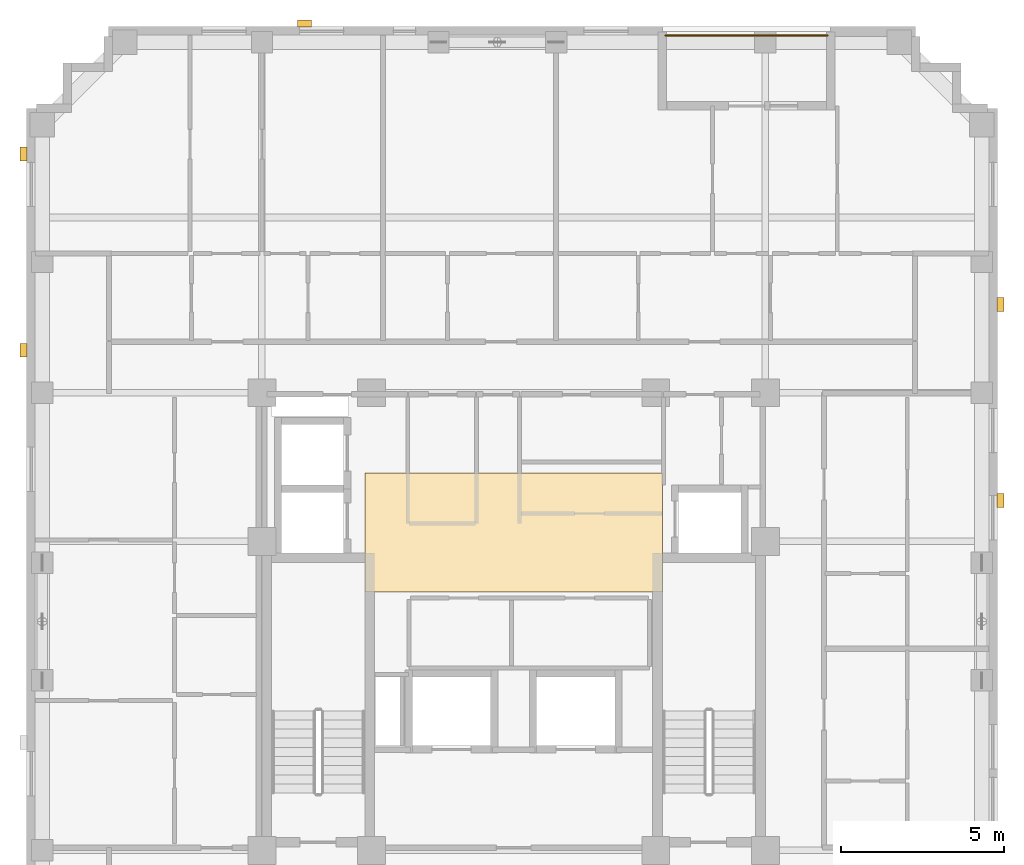
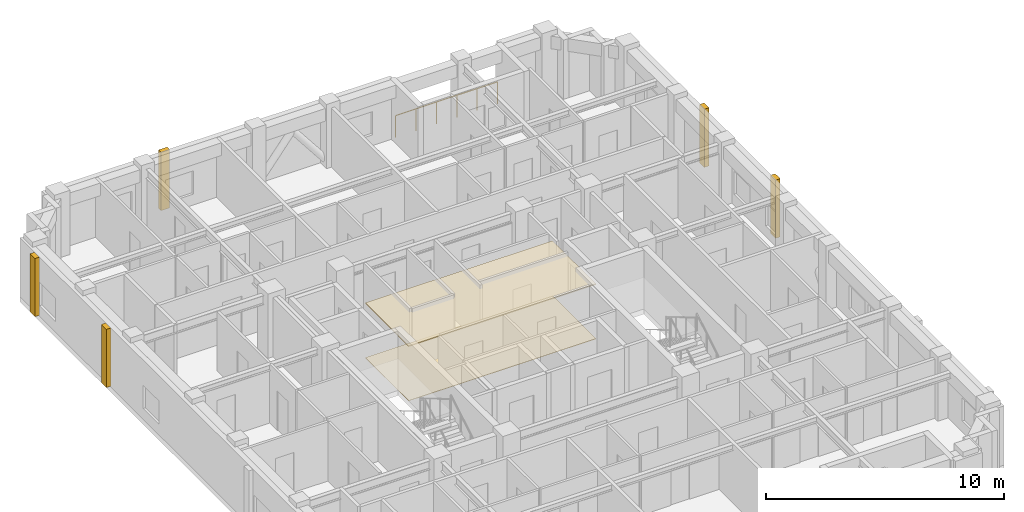
# One storey, part 11 of 11: 7 coverings, 1 railing.
"""IFC4 building model written with IfcOpenShell, lengths in metres."""

from ifc_helpers import new_model, si_unit, derived_unit, direction, frame, origin, origin_2d, place, context, subcontext, project, spatial, polyline, rectangle, circle, outline, extrude, material, layer, layer_set, type_object, element, save


model = new_model("IFC4")

# Units and contexts
model_context = context("Model", 3, precision=1e-05, world=origin(), true_north=direction((0.0, 1.0)))
body_context = subcontext(model_context, "Body", "Model", "MODEL_VIEW")
ifc_project = project(units=[si_unit("LENGTHUNIT", "METRE"), si_unit("AREAUNIT", "SQUARE_METRE"), si_unit("VOLUMEUNIT", "CUBIC_METRE"), si_unit("PLANEANGLEUNIT", "RADIAN"), si_unit("MASSUNIT", "GRAM", prefix="KILO"), derived_unit("THERMALTRANSMITTANCEUNIT", [(si_unit("MASSUNIT", "GRAM", prefix="KILO"), 1), (si_unit("TIMEUNIT", "SECOND"), -3), (si_unit("THERMODYNAMICTEMPERATUREUNIT", "KELVIN"), -1)])], contexts=[model_context])

# Site, building, storey
site_placement = place(None, origin())
site = spatial("IfcSite", under=ifc_project, at=site_placement, CompositionType="ELEMENT")
building_placement = place(site_placement, origin())
building = spatial("IfcBuilding", under=site, at=building_placement, Name="Korrvale Station Residences", CompositionType="ELEMENT")
storey_placement = place(building_placement, frame((0.0, 0.0, 214.0)))
storey = spatial("IfcBuildingStorey", under=building, at=storey_placement, Name="L62", CompositionType="ELEMENT", Elevation=214.0)

# Coverings
ifc_material_1 = material(Name="Perforated acoustic mineral-fibre suspended ceiling", Category="gypsum")
ifc_layer_1 = layer(ifc_material_1, 0.050048828125, Name="Perforated acoustic mineral-fibre suspended ceiling")
ifc_layer_set_1 = layer_set([ifc_layer_1], Name="Perforated acoustic mineral-fibre suspended ceiling")
covering_type_1 = type_object("IfcCoveringType", Name="COV-CLG-AC60", PredefinedType="CEILING", material=ifc_layer_set_1)
covering_1_placement = place(storey_placement, frame((0.0, 0.0, 2.7900390625)))
element("IfcCovering", 1, at=covering_1_placement, inside=storey, type_object=covering_type_1, Name="L62 Elevator Lobby Acoustic Ceiling", PredefinedType="CEILING", context=body_context, shape_type="SweptSolid", body=[
    extrude(outline(polyline([(20.949951171875, 22.89990234375), (30.050048828125, 22.89990234375), (30.050048828125, 26.550048828125), (20.949951171875, 26.550048828125), (20.949951171875, 22.89990234375)])), origin(), (0.0, 0.0, 1.0), 0.050048828125),
])
ifc_material_2 = material(Name="Polished quartz-terrazzo lobby flooring", Category="masonry")
ifc_layer_2 = layer(ifc_material_2, 0.02001953125, Name="Polished quartz-terrazzo lobby flooring")
ifc_layer_set_2 = layer_set([ifc_layer_2], Name="Polished quartz-terrazzo lobby flooring")
covering_type_2 = type_object("IfcCoveringType", Name="COV-FLR-TER20", PredefinedType="FLOORING", material=ifc_layer_set_2)
covering_2_placement = place(storey_placement, origin())
element("IfcCovering", 2, at=covering_2_placement, inside=storey, type_object=covering_type_2, Name="L62 Elevator Lobby Terrazzo Flooring", PredefinedType="FLOORING", context=body_context, shape_type="SweptSolid", body=[
    extrude(outline(polyline([(20.949951171875, 22.89990234375), (30.050048828125, 22.89990234375), (30.050048828125, 26.550048828125), (20.949951171875, 26.550048828125), (20.949951171875, 22.89990234375)])), origin(), (0.0, 0.0, 1.0), 0.02001953125),
])
ifc_material_3 = material(Name="Architectural precast concrete C45/55", Category="concrete")
ifc_layer_3 = layer(ifc_material_3, 0.219970703125, Name="Architectural precast concrete C45/55")
ifc_layer_set_3 = layer_set([ifc_layer_3], Name="Architectural precast concrete C45/55")
covering_type_3 = type_object("IfcCoveringType", Name="COV-PIER-400", PredefinedType="CLADDING", material=ifc_layer_set_3)
for number, where, z_axis, x_axis, name in (
    (3, (19.10009765625, 40.2900390625, 0.02490234375), (0.0, 0.0, 1.0), (1.0, 0.0, 0.0), "L62 Architectural Precast Facade Pier 01"),
    (4, (10.510009765625, 30.300048828125, 0.02490234375), (0.0, 0.0, 1.0), (0.0, 1.0, 0.0), "L62 Architectural Precast Facade Pier 04"),
    (5, (10.510009765625, 36.300048828125, 0.02490234375), (0.0, 0.0, 1.0), (0.0, 1.0, 0.0), "L62 Architectural Precast Facade Pier 05"),
    (6, (40.389892578125, 31.699951171875, 0.02490234375), (0.0, 0.0, 1.0), (0.0, 1.0, 0.0), "L62 Architectural Precast Facade Pier 06"),
    (7, (40.389892578125, 25.699951171875, 0.02490234375), (0.0, 0.0, 1.0), (0.0, 1.0, 0.0), "L62 Architectural Precast Facade Pier 07"),
):
    element("IfcCovering", number, at=place(storey_placement, frame(where, z_axis=z_axis, x_axis=x_axis)), inside=storey, type_object=covering_type_3, Name=name, PredefinedType="CLADDING", context=body_context, shape_type="SweptSolid", body=[
        extrude(rectangle(XDim=0.419921875, YDim=0.219970703125, at=origin_2d()), origin(), (0.0, 0.0, 1.0), 2.989990234375),
    ])

# Railing
ifc_material_4 = material(Name="Powder-coated aluminium picket loggia guard", Category="aluminium")
railing_type = type_object("IfcRailingType", Name="RLG-BAL-1150", PredefinedType="GUARDRAIL", material=ifc_material_4)
railing_placement = place(storey_placement, frame((30.14990234375, 39.929931640625, 0.0)))
element("IfcRailing", 8, at=railing_placement, inside=storey, type_object=railing_type, Name="L62 Recessed Loggia Guardrail BAL-L62-N1", PredefinedType="GUARDRAIL", context=body_context, shape_type="SweptSolid", body=[
    extrude(circle(Radius=0.02392578125, at=origin_2d()), frame((0.0, 0.0, 1.1259765625), z_axis=(1.0, 0.0, 0.0), x_axis=(0.0, 1.0, 0.0)), (0.0, 0.0, 1.0), 4.9501953125),
    extrude(circle(Radius=0.02099609375, at=origin_2d()), origin(), (0.0, 0.0, 1.0), 1.101806640625),
    extrude(circle(Radius=0.02099609375, at=origin_2d()), frame((0.989990234375, 0.0, 0.0)), (0.0, 0.0, 1.0), 1.101806640625),
    extrude(circle(Radius=0.02099609375, at=origin_2d()), frame((1.97998046875, 0.0, 0.0)), (0.0, 0.0, 1.0), 1.101806640625),
    extrude(circle(Radius=0.02099609375, at=origin_2d()), frame((2.97021484375, 0.0, 0.0)), (0.0, 0.0, 1.0), 1.101806640625),
    extrude(circle(Radius=0.02099609375, at=origin_2d()), frame((3.960205078125, 0.0, 0.0)), (0.0, 0.0, 1.0), 1.101806640625),
    extrude(circle(Radius=0.02099609375, at=origin_2d()), frame((4.9501953125, 0.0, 0.0)), (0.0, 0.0, 1.0), 1.101806640625),
])

save(model, "model.ifc")
